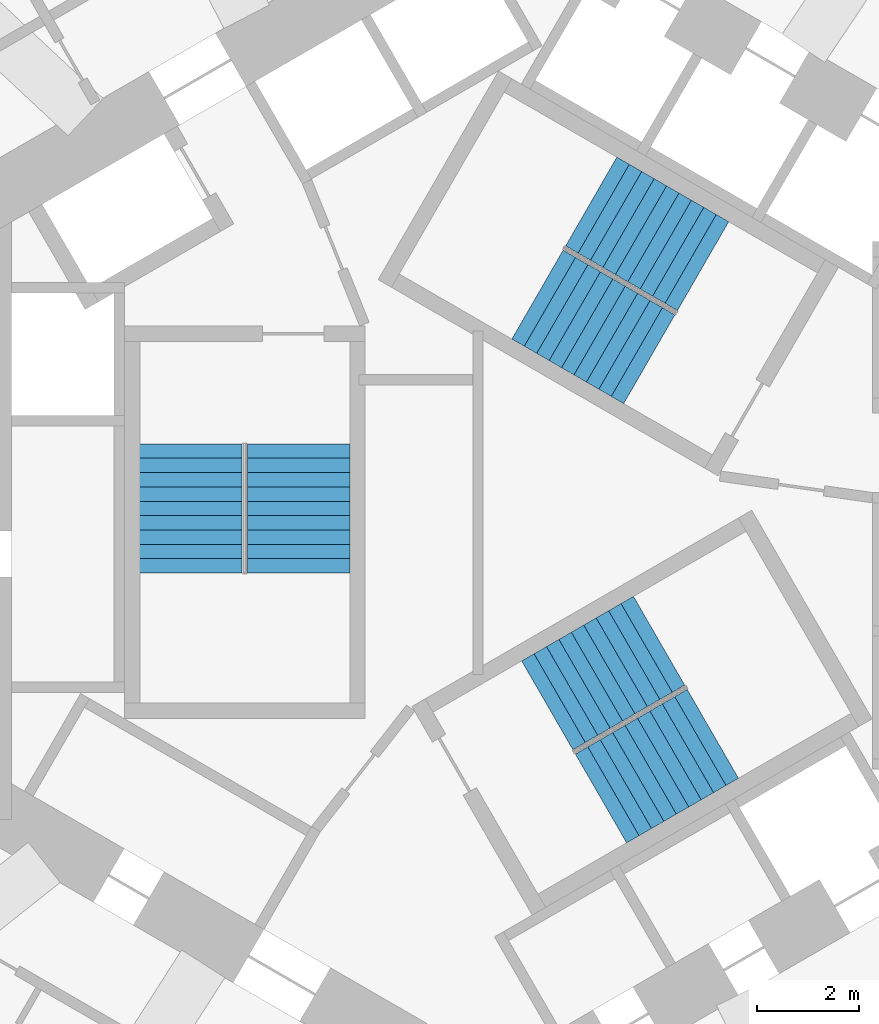
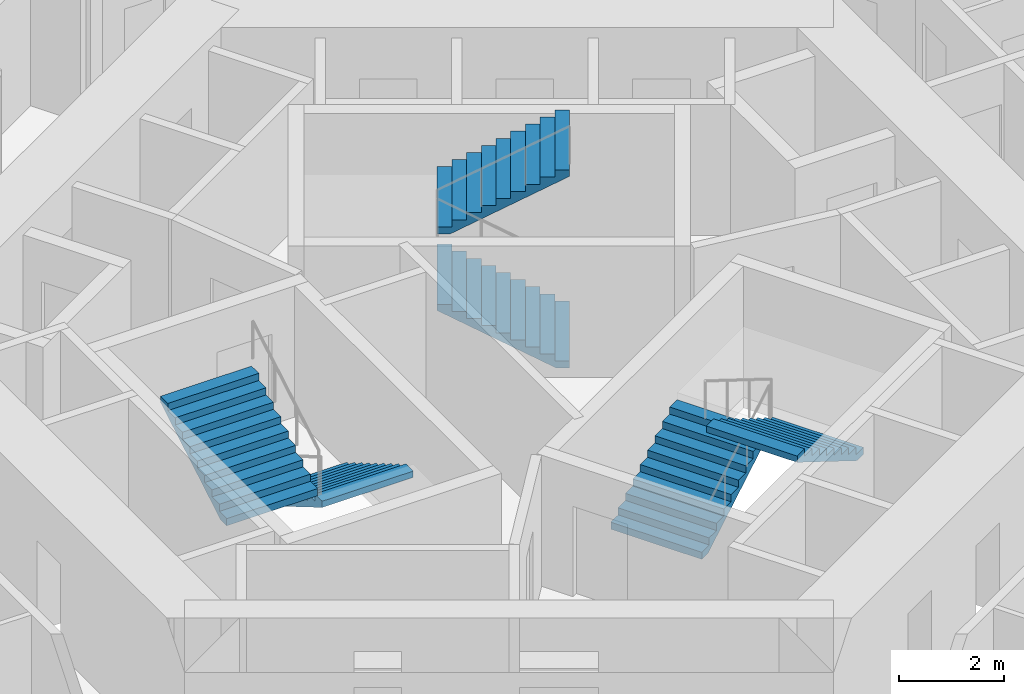
# One storey, part 10 of 12: 6 stair flights, 3 elements without a shape of their own.
"""IFC4 building model written with IfcOpenShell, lengths in metres."""

from ifc_helpers import new_model, si_unit, direction, frame, origin, place, context, subcontext, project, spatial, triangles, source, transform, mapped, material, type_object, element, aggregate, save


model = new_model("IFC4")

# Units and contexts
model_context = context("Model", 3, precision=1e-05, world=origin(), true_north=direction((0.0, 1.0)))
body_context = subcontext(model_context, "Body", "Model", "MODEL_VIEW")
ifc_project = project(units=[si_unit("LENGTHUNIT", "METRE"), si_unit("AREAUNIT", "SQUARE_METRE"), si_unit("VOLUMEUNIT", "CUBIC_METRE"), si_unit("PLANEANGLEUNIT", "RADIAN"), si_unit("MASSUNIT", "GRAM", prefix="KILO")], contexts=[model_context])

# Site, building, storey
site_placement = place(None, origin())
site = spatial("IfcSite", under=ifc_project, at=site_placement, CompositionType="ELEMENT")
building_placement = place(site_placement, origin())
building = spatial("IfcBuilding", under=site, at=building_placement, Name="Vanh Sen Convention Tower", CompositionType="ELEMENT")
storey_placement = place(building_placement, frame((0.0, 0.0, 44.0)))
storey = spatial("IfcBuildingStorey", under=building, at=storey_placement, Name="L07", CompositionType="ELEMENT", Elevation=44.0)

# Stair, stair flights
ifc_material_1 = material(Name="Concrete C50/60", Category="concrete")
stair_type_1 = type_object("IfcStairType", Name="Exit stair ST1 20 risers at 165.0", PredefinedType="HALF_TURN_STAIR", material=ifc_material_1)
stair_1_placement = place(storey_placement, origin())
stair_1 = element("IfcStair", 1, at=stair_1_placement, inside=storey, type_object=stair_type_1, Name="Exit stair ST1 L07", PredefinedType="HALF_TURN_STAIR")
ifc_material_2 = material(Name="Concrete C40/50", Category="concrete")
stair_flight_type = type_object("IfcStairFlightType", Name="Stair flight 2000", PredefinedType="STRAIGHT", material=ifc_material_2)
shared_shape = source(origin(), body_context, "Body", "Tessellation", [
    triangles([(0.24609375, 1.0, 0.0), (0.0, 1.0, 0.0), (0.0, 1.0, 0.1650390625), (0.280029296875, 1.0, 0.1650390625), (0.280029296875, 1.0, 0.330078125), (0.56005859375, 1.0, 0.330078125), (0.56005859375, 1.0, 0.4951171875), (0.840087890625, 1.0, 0.4951171875), (0.840087890625, 1.0, 0.659912109375), (1.1201171875, 1.0, 0.659912109375), (1.1201171875, 1.0, 0.824951171875), (1.39990234375, 1.0, 0.824951171875), (1.39990234375, 1.0, 0.989990234375), (1.679931640625, 1.0, 0.989990234375), (1.679931640625, 1.0, 1.155029296875), (1.9599609375, 1.0, 1.155029296875), (1.9599609375, 1.0, 1.320068359375), (2.239990234375, 1.0, 1.320068359375), (2.239990234375, 1.0, 1.485107421875), (2.52001953125, 1.0, 1.485107421875), (2.52001953125, 1.0, 1.33984375), (0.24609375, -1.0, 0.0), (0.0, -1.0, 0.0), (0.0, -1.0, 0.1650390625), (0.280029296875, -1.0, 0.1650390625), (0.280029296875, -1.0, 0.330078125), (0.56005859375, -1.0, 0.330078125), (0.56005859375, -1.0, 0.4951171875), (0.840087890625, -1.0, 0.4951171875), (0.840087890625, -1.0, 0.659912109375), (1.1201171875, -1.0, 0.659912109375), (1.1201171875, -1.0, 0.824951171875), (1.39990234375, -1.0, 0.824951171875), (1.39990234375, -1.0, 0.989990234375), (1.679931640625, -1.0, 0.989990234375), (1.679931640625, -1.0, 1.155029296875), (1.9599609375, -1.0, 1.155029296875), (1.9599609375, -1.0, 1.320068359375), (2.239990234375, -1.0, 1.320068359375), (2.239990234375, -1.0, 1.485107421875), (2.52001953125, -1.0, 1.485107421875), (2.52001953125, -1.0, 1.33984375), (0.0, 0.0400390625, 0.0), (0.0, 0.0390625, 0.0), (0.0, 0.0380859375, 0.0), (0.0, 0.037109375, 0.0), (0.0, 0.035888671875, 0.0), (0.0, 0.034912109375, 0.0), (0.0, 0.033935546875, 0.0), (0.0, 0.032958984375, 0.0), (0.0, 0.031982421875, 0.0), (0.0, 0.031005859375, 0.0), (0.0, 0.030029296875, 0.0), (0.0, 0.029052734375, 0.0), (0.0, 0.028076171875, 0.0), (0.0, 0.027099609375, 0.0), (0.0, 0.02587890625, 0.0), (0.0, 0.02490234375, 0.0), (0.0, 0.02392578125, 0.0), (0.0, 0.02294921875, 0.0), (0.0, 0.02197265625, 0.0), (0.0, 0.02099609375, 0.0), (0.0, 0.02001953125, 0.0), (0.0, 0.01904296875, 0.0), (0.0, 0.01806640625, 0.0), (0.0, 0.01708984375, 0.0), (0.0, 0.01611328125, 0.0), (0.0, 0.014892578125, 0.0), (0.0, 0.013916015625, 0.0), (0.0, 0.012939453125, 0.0), (0.0, 0.011962890625, 0.0), (0.0, 0.010986328125, 0.0), (0.0, 0.010009765625, 0.0), (0.0, 0.009033203125, 0.0), (0.0, 0.008056640625, 0.0), (0.0, 0.007080078125, 0.0), (0.0, 0.006103515625, 0.0), (0.0, 0.0048828125, 0.0), (0.0, 0.00390625, 0.0), (0.0, 0.0029296875, 0.0), (0.0, 0.001953125, 0.0), (0.0, 0.0009765625, 0.0), (0.0, 0.0, 0.0), (0.0, -0.0009765625, 0.0), (0.0, -0.001953125, 0.0), (0.0, -0.0029296875, 0.0), (0.0, -0.00390625, 0.0), (0.0, -0.0048828125, 0.0), (0.0, -0.006103515625, 0.0), (0.0, -0.007080078125, 0.0), (0.0, -0.008056640625, 0.0), (0.0, -0.009033203125, 0.0), (0.0, -0.010009765625, 0.0), (0.0, -0.010986328125, 0.0), (0.0, -0.011962890625, 0.0), (0.0, -0.012939453125, 0.0), (0.0, -0.013916015625, 0.0), (0.0, -0.014892578125, 0.0), (0.0, -0.01611328125, 0.0), (0.0, -0.01708984375, 0.0), (0.0, -0.01806640625, 0.0), (0.0, -0.01904296875, 0.0), (0.0, -0.02001953125, 0.0), (0.0, -0.02099609375, 0.0), (0.0, -0.02197265625, 0.0), (0.0, -0.02294921875, 0.0), (0.0, -0.02392578125, 0.0), (0.0, -0.02490234375, 0.0), (0.0, -0.02587890625, 0.0), (0.0, -0.027099609375, 0.0), (0.0, -0.028076171875, 0.0), (0.0, -0.029052734375, 0.0), (0.0, -0.030029296875, 0.0), (0.0, -0.031005859375, 0.0), (0.0, -0.031982421875, 0.0), (0.0, -0.032958984375, 0.0), (0.0, -0.033935546875, 0.0), (0.0, -0.034912109375, 0.0), (0.0, -0.035888671875, 0.0), (0.0, -0.037109375, 0.0), (0.0, -0.0380859375, 0.0), (0.0, -0.0390625, 0.0), (0.0, -0.0400390625, 0.0), (0.0, 0.0400390625, 0.1650390625), (0.0, 0.0390625, 0.1650390625), (0.0, 0.0380859375, 0.1650390625), (0.0, 0.037109375, 0.1650390625), (0.0, 0.035888671875, 0.1650390625), (0.0, 0.034912109375, 0.1650390625), (0.0, 0.033935546875, 0.1650390625), (0.0, 0.032958984375, 0.1650390625), (0.0, 0.031982421875, 0.1650390625), (0.0, 0.031005859375, 0.1650390625), (0.0, 0.030029296875, 0.1650390625), (0.0, 0.029052734375, 0.1650390625), (0.0, 0.028076171875, 0.1650390625), (0.0, 0.027099609375, 0.1650390625), (0.0, 0.02587890625, 0.1650390625), (0.0, 0.02490234375, 0.1650390625), (0.0, 0.02392578125, 0.1650390625), (0.0, 0.02294921875, 0.1650390625), (0.0, 0.02197265625, 0.1650390625), (0.0, 0.02099609375, 0.1650390625), (0.0, 0.02001953125, 0.1650390625), (0.0, 0.01904296875, 0.1650390625), (0.0, 0.01806640625, 0.1650390625), (0.0, 0.01708984375, 0.1650390625), (0.0, 0.01611328125, 0.1650390625), (0.0, 0.014892578125, 0.1650390625), (0.0, 0.013916015625, 0.1650390625), (0.0, 0.012939453125, 0.1650390625), (0.0, 0.011962890625, 0.1650390625), (0.0, 0.010986328125, 0.1650390625), (0.0, 0.010009765625, 0.1650390625), (0.0, 0.009033203125, 0.1650390625), (0.0, 0.008056640625, 0.1650390625), (0.0, 0.007080078125, 0.1650390625), (0.0, 0.006103515625, 0.1650390625), (0.0, 0.0048828125, 0.1650390625), (0.0, 0.00390625, 0.1650390625), (0.0, 0.0029296875, 0.1650390625), (0.0, 0.001953125, 0.1650390625), (0.0, 0.0009765625, 0.1650390625), (0.0, 0.0, 0.1650390625), (0.0, -0.0009765625, 0.1650390625), (0.0, -0.001953125, 0.1650390625), (0.0, -0.0029296875, 0.1650390625), (0.0, -0.00390625, 0.1650390625), (0.0, -0.0048828125, 0.1650390625), (0.0, -0.006103515625, 0.1650390625), (0.0, -0.007080078125, 0.1650390625), (0.0, -0.008056640625, 0.1650390625), (0.0, -0.009033203125, 0.1650390625), (0.0, -0.010009765625, 0.1650390625), (0.0, -0.010986328125, 0.1650390625), (0.0, -0.011962890625, 0.1650390625), (0.0, -0.012939453125, 0.1650390625), (0.0, -0.013916015625, 0.1650390625), (0.0, -0.014892578125, 0.1650390625), (0.0, -0.01611328125, 0.1650390625), (0.0, -0.01708984375, 0.1650390625), (0.0, -0.01806640625, 0.1650390625), (0.0, -0.01904296875, 0.1650390625), (0.0, -0.02001953125, 0.1650390625), (0.0, -0.02099609375, 0.1650390625), (0.0, -0.02197265625, 0.1650390625), (0.0, -0.02294921875, 0.1650390625), (0.0, -0.02392578125, 0.1650390625), (0.0, -0.02490234375, 0.1650390625), (0.0, -0.02587890625, 0.1650390625), (0.0, -0.027099609375, 0.1650390625), (0.0, -0.028076171875, 0.1650390625), (0.0, -0.029052734375, 0.1650390625), (0.0, -0.030029296875, 0.1650390625), (0.0, -0.031005859375, 0.1650390625), (0.0, -0.031982421875, 0.1650390625), (0.0, -0.032958984375, 0.1650390625), (0.0, -0.033935546875, 0.1650390625), (0.0, -0.034912109375, 0.1650390625), (0.0, -0.035888671875, 0.1650390625), (0.0, -0.037109375, 0.1650390625), (0.0, -0.0380859375, 0.1650390625), (0.0, -0.0390625, 0.1650390625), (0.0, -0.0400390625, 0.1650390625), (0.280029296875, 0.0, 0.1650390625), (0.280029296875, 0.0, 0.330078125), (0.56005859375, 0.0, 0.330078125), (0.56005859375, 0.0, 0.4951171875), (0.840087890625, 0.0, 0.4951171875), (0.840087890625, 0.0, 0.659912109375), (1.1201171875, 0.0, 0.659912109375), (1.1201171875, 0.0, 0.824951171875), (1.39990234375, 0.0, 0.824951171875), (1.39990234375, 0.0, 0.989990234375), (1.679931640625, 0.0, 0.989990234375), (1.679931640625, 0.0, 1.155029296875), (1.9599609375, 0.0, 1.155029296875), (1.9599609375, 0.0, 1.320068359375), (2.239990234375, 0.0, 1.320068359375), (2.239990234375, 0.0, 1.485107421875), (2.52001953125, 0.0400390625, 1.485107421875), (2.52001953125, 0.0390625, 1.485107421875), (2.52001953125, 0.0380859375, 1.485107421875), (2.52001953125, 0.037109375, 1.485107421875), (2.52001953125, 0.035888671875, 1.485107421875), (2.52001953125, 0.034912109375, 1.485107421875), (2.52001953125, 0.033935546875, 1.485107421875), (2.52001953125, 0.032958984375, 1.485107421875), (2.52001953125, 0.031982421875, 1.485107421875), (2.52001953125, 0.031005859375, 1.485107421875), (2.52001953125, 0.030029296875, 1.485107421875), (2.52001953125, 0.029052734375, 1.485107421875), (2.52001953125, 0.028076171875, 1.485107421875), (2.52001953125, 0.027099609375, 1.485107421875), (2.52001953125, 0.02587890625, 1.485107421875), (2.52001953125, 0.02490234375, 1.485107421875), (2.52001953125, 0.02392578125, 1.485107421875), (2.52001953125, 0.02294921875, 1.485107421875), (2.52001953125, 0.02197265625, 1.485107421875), (2.52001953125, 0.02099609375, 1.485107421875), (2.52001953125, 0.02001953125, 1.485107421875), (2.52001953125, 0.01904296875, 1.485107421875), (2.52001953125, 0.01806640625, 1.485107421875), (2.52001953125, 0.01708984375, 1.485107421875), (2.52001953125, 0.01611328125, 1.485107421875), (2.52001953125, 0.014892578125, 1.485107421875), (2.52001953125, 0.013916015625, 1.485107421875), (2.52001953125, 0.012939453125, 1.485107421875), (2.52001953125, 0.011962890625, 1.485107421875), (2.52001953125, 0.010986328125, 1.485107421875), (2.52001953125, 0.010009765625, 1.485107421875), (2.52001953125, 0.009033203125, 1.485107421875), (2.52001953125, 0.008056640625, 1.485107421875), (2.52001953125, 0.007080078125, 1.485107421875), (2.52001953125, 0.006103515625, 1.485107421875), (2.52001953125, 0.0048828125, 1.485107421875), (2.52001953125, 0.00390625, 1.485107421875), (2.52001953125, 0.0029296875, 1.485107421875), (2.52001953125, 0.001953125, 1.485107421875), (2.52001953125, 0.0009765625, 1.485107421875), (2.52001953125, 0.0, 1.485107421875), (2.52001953125, -0.0009765625, 1.485107421875), (2.52001953125, -0.001953125, 1.485107421875), (2.52001953125, -0.0029296875, 1.485107421875), (2.52001953125, -0.00390625, 1.485107421875), (2.52001953125, -0.0048828125, 1.485107421875), (2.52001953125, -0.006103515625, 1.485107421875), (2.52001953125, -0.007080078125, 1.485107421875), (2.52001953125, -0.008056640625, 1.485107421875), (2.52001953125, -0.009033203125, 1.485107421875), (2.52001953125, -0.010009765625, 1.485107421875), (2.52001953125, -0.010986328125, 1.485107421875), (2.52001953125, -0.011962890625, 1.485107421875), (2.52001953125, -0.012939453125, 1.485107421875), (2.52001953125, -0.013916015625, 1.485107421875), (2.52001953125, -0.014892578125, 1.485107421875), (2.52001953125, -0.01611328125, 1.485107421875), (2.52001953125, -0.01708984375, 1.485107421875), (2.52001953125, -0.01806640625, 1.485107421875), (2.52001953125, -0.01904296875, 1.485107421875), (2.52001953125, -0.02001953125, 1.485107421875), (2.52001953125, -0.02099609375, 1.485107421875), (2.52001953125, -0.02197265625, 1.485107421875), (2.52001953125, -0.02294921875, 1.485107421875), (2.52001953125, -0.02392578125, 1.485107421875), (2.52001953125, -0.02490234375, 1.485107421875), (2.52001953125, -0.02587890625, 1.485107421875), (2.52001953125, -0.027099609375, 1.485107421875), (2.52001953125, -0.028076171875, 1.485107421875), (2.52001953125, -0.029052734375, 1.485107421875), (2.52001953125, -0.030029296875, 1.485107421875), (2.52001953125, -0.031005859375, 1.485107421875), (2.52001953125, -0.031982421875, 1.485107421875), (2.52001953125, -0.032958984375, 1.485107421875), (2.52001953125, -0.033935546875, 1.485107421875), (2.52001953125, -0.034912109375, 1.485107421875), (2.52001953125, -0.035888671875, 1.485107421875), (2.52001953125, -0.037109375, 1.485107421875), (2.52001953125, -0.0380859375, 1.485107421875), (2.52001953125, -0.0390625, 1.485107421875), (2.52001953125, -0.0400390625, 1.485107421875), (2.52001953125, 0.0400390625, 1.33984375), (2.52001953125, 0.0390625, 1.33984375), (2.52001953125, 0.0380859375, 1.33984375), (2.52001953125, 0.037109375, 1.33984375), (2.52001953125, 0.035888671875, 1.33984375), (2.52001953125, 0.034912109375, 1.33984375), (2.52001953125, 0.033935546875, 1.33984375), (2.52001953125, 0.032958984375, 1.33984375), (2.52001953125, 0.031982421875, 1.33984375), (2.52001953125, 0.031005859375, 1.33984375), (2.52001953125, 0.030029296875, 1.33984375), (2.52001953125, 0.029052734375, 1.33984375), (2.52001953125, 0.028076171875, 1.33984375), (2.52001953125, 0.027099609375, 1.33984375), (2.52001953125, 0.02587890625, 1.33984375), (2.52001953125, 0.02490234375, 1.33984375), (2.52001953125, 0.02392578125, 1.33984375), (2.52001953125, 0.02294921875, 1.33984375), (2.52001953125, 0.02197265625, 1.33984375), (2.52001953125, 0.02099609375, 1.33984375), (2.52001953125, 0.02001953125, 1.33984375), (2.52001953125, 0.01904296875, 1.33984375), (2.52001953125, 0.01806640625, 1.33984375), (2.52001953125, 0.01708984375, 1.33984375), (2.52001953125, 0.01611328125, 1.33984375), (2.52001953125, 0.014892578125, 1.33984375), (2.52001953125, 0.013916015625, 1.33984375), (2.52001953125, 0.012939453125, 1.33984375), (2.52001953125, 0.011962890625, 1.33984375), (2.52001953125, 0.010986328125, 1.33984375), (2.52001953125, 0.010009765625, 1.33984375), (2.52001953125, 0.009033203125, 1.33984375), (2.52001953125, 0.008056640625, 1.33984375), (2.52001953125, 0.007080078125, 1.33984375), (2.52001953125, 0.006103515625, 1.33984375), (2.52001953125, 0.0048828125, 1.33984375), (2.52001953125, 0.00390625, 1.33984375), (2.52001953125, 0.0029296875, 1.33984375), (2.52001953125, 0.001953125, 1.33984375), (2.52001953125, 0.0009765625, 1.33984375), (2.52001953125, 0.0, 1.33984375), (2.52001953125, -0.0009765625, 1.33984375), (2.52001953125, -0.001953125, 1.33984375), (2.52001953125, -0.0029296875, 1.33984375), (2.52001953125, -0.00390625, 1.33984375), (2.52001953125, -0.0048828125, 1.33984375), (2.52001953125, -0.006103515625, 1.33984375), (2.52001953125, -0.007080078125, 1.33984375), (2.52001953125, -0.008056640625, 1.33984375), (2.52001953125, -0.009033203125, 1.33984375), (2.52001953125, -0.010009765625, 1.33984375), (2.52001953125, -0.010986328125, 1.33984375), (2.52001953125, -0.011962890625, 1.33984375), (2.52001953125, -0.012939453125, 1.33984375), (2.52001953125, -0.013916015625, 1.33984375), (2.52001953125, -0.014892578125, 1.33984375), (2.52001953125, -0.01611328125, 1.33984375), (2.52001953125, -0.01708984375, 1.33984375), (2.52001953125, -0.01806640625, 1.33984375), (2.52001953125, -0.01904296875, 1.33984375), (2.52001953125, -0.02001953125, 1.33984375), (2.52001953125, -0.02099609375, 1.33984375), (2.52001953125, -0.02197265625, 1.33984375), (2.52001953125, -0.02294921875, 1.33984375), (2.52001953125, -0.02392578125, 1.33984375), (2.52001953125, -0.02490234375, 1.33984375), (2.52001953125, -0.02587890625, 1.33984375), (2.52001953125, -0.027099609375, 1.33984375), (2.52001953125, -0.028076171875, 1.33984375), (2.52001953125, -0.029052734375, 1.33984375), (2.52001953125, -0.030029296875, 1.33984375), (2.52001953125, -0.031005859375, 1.33984375), (2.52001953125, -0.031982421875, 1.33984375), (2.52001953125, -0.032958984375, 1.33984375), (2.52001953125, -0.033935546875, 1.33984375), (2.52001953125, -0.034912109375, 1.33984375), (2.52001953125, -0.035888671875, 1.33984375), (2.52001953125, -0.037109375, 1.33984375), (2.52001953125, -0.0380859375, 1.33984375), (2.52001953125, -0.0390625, 1.33984375), (2.52001953125, -0.0400390625, 1.33984375), (0.24609375, 0.0, 0.0)], [[1, 2, 3], [1, 3, 4], [4, 5, 6], [1, 4, 6], [6, 7, 8], [1, 6, 8], [8, 9, 10], [1, 8, 10], [10, 11, 12], [1, 10, 12], [12, 13, 14], [1, 12, 14], [14, 15, 16], [1, 14, 16], [16, 17, 18], [1, 16, 18], [18, 19, 20], [1, 18, 20], [20, 21, 1], [22, 24, 23], [22, 25, 24], [25, 27, 26], [22, 27, 25], [27, 29, 28], [22, 29, 27], [29, 31, 30], [22, 31, 29], [31, 33, 32], [22, 33, 31], [33, 35, 34], [22, 35, 33], [35, 37, 36], [22, 37, 35], [37, 39, 38], [22, 39, 37], [39, 41, 40], [22, 41, 39], [41, 22, 42], [2, 124, 3], [2, 43, 124], [43, 125, 124], [43, 44, 125], [44, 126, 125], [44, 45, 126], [45, 127, 126], [45, 46, 127], [46, 128, 127], [46, 47, 128], [47, 129, 128], [47, 48, 129], [48, 130, 129], [48, 49, 130], [49, 131, 130], [49, 50, 131], [50, 132, 131], [50, 51, 132], [51, 133, 132], [51, 52, 133], [52, 134, 133], [52, 53, 134], [53, 135, 134], [53, 54, 135], [54, 136, 135], [54, 55, 136], [55, 137, 136], [55, 56, 137], [56, 138, 137], [56, 57, 138], [57, 139, 138], [57, 58, 139], [58, 140, 139], [58, 59, 140], [59, 141, 140], [59, 60, 141], [60, 142, 141], [60, 61, 142], [61, 143, 142], [61, 62, 143], [62, 144, 143], [62, 63, 144], [63, 145, 144], [63, 64, 145], [64, 146, 145], [64, 65, 146], [65, 147, 146], [65, 66, 147], [66, 148, 147], [66, 67, 148], [67, 149, 148], [67, 68, 149], [68, 150, 149], [68, 69, 150], [69, 151, 150], [69, 70, 151], [70, 152, 151], [70, 71, 152], [71, 153, 152], [71, 72, 153], [72, 154, 153], [72, 73, 154], [73, 155, 154], [73, 74, 155], [74, 156, 155], [74, 75, 156], [75, 157, 156], [75, 76, 157], [76, 158, 157], [76, 77, 158], [77, 159, 158], [77, 78, 159], [78, 160, 159], [78, 79, 160], [79, 161, 160], [79, 80, 161], [80, 162, 161], [80, 81, 162], [81, 163, 162], [81, 82, 163], [82, 164, 163], [82, 83, 164], [83, 84, 164], [164, 84, 165], [84, 85, 165], [165, 85, 166], [85, 86, 166], [166, 86, 167], [86, 87, 167], [167, 87, 168], [87, 88, 168], [168, 88, 169], [88, 89, 169], [169, 89, 170], [89, 90, 170], [170, 90, 171], [90, 91, 171], [171, 91, 172], [91, 92, 172], [172, 92, 173], [92, 93, 173], [173, 93, 174], [93, 94, 174], [174, 94, 175], [94, 95, 175], [175, 95, 176], [95, 96, 176], [176, 96, 177], [96, 97, 177], [177, 97, 178], [97, 98, 178], [178, 98, 179], [98, 99, 179], [179, 99, 180], [99, 100, 180], [180, 100, 181], [100, 101, 181], [181, 101, 182], [101, 102, 182], [182, 102, 183], [102, 103, 183], [183, 103, 184], [103, 104, 184], [184, 104, 185], [104, 105, 185], [185, 105, 186], [105, 106, 186], [186, 106, 187], [106, 107, 187], [187, 107, 188], [107, 108, 188], [188, 108, 189], [108, 109, 189], [189, 109, 190], [109, 110, 190], [190, 110, 191], [110, 111, 191], [191, 111, 192], [111, 112, 192], [192, 112, 193], [112, 113, 193], [193, 113, 194], [113, 114, 194], [194, 114, 195], [114, 115, 195], [195, 115, 196], [115, 116, 196], [196, 116, 197], [116, 117, 197], [197, 117, 198], [117, 118, 198], [198, 118, 199], [118, 119, 199], [199, 119, 200], [119, 120, 200], [200, 120, 201], [120, 121, 201], [201, 121, 202], [121, 122, 202], [202, 122, 203], [122, 123, 203], [203, 123, 204], [123, 23, 204], [204, 23, 24], [4, 3, 124], [4, 124, 125], [4, 125, 126], [4, 126, 127], [4, 127, 128], [4, 128, 129], [4, 129, 130], [4, 130, 131], [4, 131, 132], [4, 132, 133], [4, 133, 134], [4, 134, 135], [4, 135, 136], [4, 136, 137], [4, 137, 138], [4, 138, 139], [4, 139, 140], [4, 140, 141], [4, 141, 142], [4, 142, 143], [4, 143, 144], [4, 144, 145], [4, 145, 146], [4, 146, 147], [4, 147, 148], [4, 148, 149], [4, 149, 150], [4, 150, 151], [4, 151, 152], [4, 152, 153], [4, 153, 154], [4, 154, 155], [4, 155, 156], [4, 156, 157], [4, 157, 158], [4, 158, 159], [4, 159, 160], [4, 160, 161], [4, 161, 162], [4, 162, 163], [4, 163, 164], [25, 164, 165], [25, 165, 166], [25, 166, 167], [25, 167, 168], [25, 168, 169], [25, 169, 170], [25, 170, 171], [25, 171, 172], [25, 172, 173], [25, 173, 174], [25, 174, 175], [25, 175, 176], [25, 176, 177], [25, 177, 178], [25, 178, 179], [25, 179, 180], [25, 180, 181], [25, 181, 182], [25, 182, 183], [25, 183, 184], [25, 184, 185], [25, 185, 186], [25, 186, 187], [25, 187, 188], [25, 188, 189], [25, 189, 190], [25, 190, 191], [25, 191, 192], [25, 192, 193], [25, 193, 194], [25, 194, 195], [25, 195, 196], [25, 196, 197], [25, 197, 198], [25, 198, 199], [25, 199, 200], [25, 200, 201], [25, 201, 202], [25, 202, 203], [25, 203, 204], [25, 204, 24], [4, 164, 205], [25, 205, 164], [4, 206, 5], [4, 205, 206], [205, 25, 206], [206, 25, 26], [5, 207, 6], [5, 206, 207], [206, 26, 207], [207, 26, 27], [6, 208, 7], [6, 207, 208], [207, 27, 208], [208, 27, 28], [7, 209, 8], [7, 208, 209], [208, 28, 209], [209, 28, 29], [8, 210, 9], [8, 209, 210], [209, 29, 210], [210, 29, 30], [9, 211, 10], [9, 210, 211], [210, 30, 211], [211, 30, 31], [10, 212, 11], [10, 211, 212], [211, 31, 212], [212, 31, 32], [11, 213, 12], [11, 212, 213], [212, 32, 213], [213, 32, 33], [12, 214, 13], [12, 213, 214], [213, 33, 214], [214, 33, 34], [13, 215, 14], [13, 214, 215], [214, 34, 215], [215, 34, 35], [14, 216, 15], [14, 215, 216], [215, 35, 216], [216, 35, 36], [15, 217, 16], [15, 216, 217], [216, 36, 217], [217, 36, 37], [16, 218, 17], [16, 217, 218], [217, 37, 218], [218, 37, 38], [17, 219, 18], [17, 218, 219], [218, 38, 219], [219, 38, 39], [18, 220, 19], [18, 219, 220], [219, 39, 220], [220, 39, 40], [19, 221, 20], [19, 222, 221], [19, 223, 222], [19, 224, 223], [19, 225, 224], [19, 226, 225], [19, 227, 226], [19, 228, 227], [19, 229, 228], [19, 230, 229], [19, 231, 230], [19, 232, 231], [19, 233, 232], [19, 234, 233], [19, 235, 234], [19, 236, 235], [19, 237, 236], [19, 238, 237], [19, 239, 238], [19, 240, 239], [19, 241, 240], [19, 242, 241], [19, 243, 242], [19, 244, 243], [19, 245, 244], [19, 246, 245], [19, 247, 246], [19, 248, 247], [19, 249, 248], [19, 250, 249], [19, 251, 250], [19, 252, 251], [19, 253, 252], [19, 254, 253], [19, 255, 254], [19, 256, 255], [19, 257, 256], [19, 258, 257], [19, 259, 258], [19, 260, 259], [19, 261, 260], [40, 262, 261], [40, 263, 262], [40, 264, 263], [40, 265, 264], [40, 266, 265], [40, 267, 266], [40, 268, 267], [40, 269, 268], [40, 270, 269], [40, 271, 270], [40, 272, 271], [40, 273, 272], [40, 274, 273], [40, 275, 274], [40, 276, 275], [40, 277, 276], [40, 278, 277], [40, 279, 278], [40, 280, 279], [40, 281, 280], [40, 282, 281], [40, 283, 282], [40, 284, 283], [40, 285, 284], [40, 286, 285], [40, 287, 286], [40, 288, 287], [40, 289, 288], [40, 290, 289], [40, 291, 290], [40, 292, 291], [40, 293, 292], [40, 294, 293], [40, 295, 294], [40, 296, 295], [40, 297, 296], [40, 298, 297], [40, 299, 298], [40, 300, 299], [40, 301, 300], [40, 41, 301], [19, 220, 261], [40, 261, 220], [20, 302, 21], [20, 221, 302], [221, 303, 302], [221, 222, 303], [222, 304, 303], [222, 223, 304], [223, 305, 304], [223, 224, 305], [224, 306, 305], [224, 225, 306], [225, 307, 306], [225, 226, 307], [226, 308, 307], [226, 227, 308], [227, 309, 308], [227, 228, 309], [228, 310, 309], [228, 229, 310], [229, 311, 310], [229, 230, 311], [230, 312, 311], [230, 231, 312], [231, 313, 312], [231, 232, 313], [232, 314, 313], [232, 233, 314], [233, 315, 314], [233, 234, 315], [234, 316, 315], [234, 235, 316], [235, 317, 316], [235, 236, 317], [236, 318, 317], [236, 237, 318], [237, 319, 318], [237, 238, 319], [238, 320, 319], [238, 239, 320], [239, 321, 320], [239, 240, 321], [240, 322, 321], [240, 241, 322], [241, 323, 322], [241, 242, 323], [242, 324, 323], [242, 243, 324], [243, 325, 324], [243, 244, 325], [244, 326, 325], [244, 245, 326], [245, 327, 326], [245, 246, 327], [246, 328, 327], [246, 247, 328], [247, 329, 328], [247, 248, 329], [248, 330, 329], [248, 249, 330], [249, 331, 330], [249, 250, 331], [250, 332, 331], [250, 251, 332], [251, 333, 332], [251, 252, 333], [252, 334, 333], [252, 253, 334], [253, 335, 334], [253, 254, 335], [254, 336, 335], [254, 255, 336], [255, 337, 336], [255, 256, 337], [256, 338, 337], [256, 257, 338], [257, 339, 338], [257, 258, 339], [258, 340, 339], [258, 259, 340], [259, 341, 340], [259, 260, 341], [260, 342, 341], [260, 261, 342], [261, 262, 342], [342, 262, 343], [262, 263, 343], [343, 263, 344], [263, 264, 344], [344, 264, 345], [264, 265, 345], [345, 265, 346], [265, 266, 346], [346, 266, 347], [266, 267, 347], [347, 267, 348], [267, 268, 348], [348, 268, 349], [268, 269, 349], [349, 269, 350], [269, 270, 350], [350, 270, 351], [270, 271, 351], [351, 271, 352], [271, 272, 352], [352, 272, 353], [272, 273, 353], [353, 273, 354], [273, 274, 354], [354, 274, 355], [274, 275, 355], [355, 275, 356], [275, 276, 356], [356, 276, 357], [276, 277, 357], [357, 277, 358], [277, 278, 358], [358, 278, 359], [278, 279, 359], [359, 279, 360], [279, 280, 360], [360, 280, 361], [280, 281, 361], [361, 281, 362], [281, 282, 362], [362, 282, 363], [282, 283, 363], [363, 283, 364], [283, 284, 364], [364, 284, 365], [284, 285, 365], [365, 285, 366], [285, 286, 366], [366, 286, 367], [286, 287, 367], [367, 287, 368], [287, 288, 368], [368, 288, 369], [288, 289, 369], [369, 289, 370], [289, 290, 370], [370, 290, 371], [290, 291, 371], [371, 291, 372], [291, 292, 372], [372, 292, 373], [292, 293, 373], [373, 293, 374], [293, 294, 374], [374, 294, 375], [294, 295, 375], [375, 295, 376], [295, 296, 376], [376, 296, 377], [296, 297, 377], [377, 297, 378], [297, 298, 378], [378, 298, 379], [298, 299, 379], [379, 299, 380], [299, 300, 380], [380, 300, 381], [300, 301, 381], [381, 301, 382], [301, 41, 382], [382, 41, 42], [1, 21, 302], [1, 302, 303], [1, 303, 304], [1, 304, 305], [1, 305, 306], [1, 306, 307], [1, 307, 308], [1, 308, 309], [1, 309, 310], [1, 310, 311], [1, 311, 312], [1, 312, 313], [1, 313, 314], [1, 314, 315], [1, 315, 316], [1, 316, 317], [1, 317, 318], [1, 318, 319], [1, 319, 320], [1, 320, 321], [1, 321, 322], [1, 322, 323], [1, 323, 324], [1, 324, 325], [1, 325, 326], [1, 326, 327], [1, 327, 328], [1, 328, 329], [1, 329, 330], [1, 330, 331], [1, 331, 332], [1, 332, 333], [1, 333, 334], [1, 334, 335], [1, 335, 336], [1, 336, 337], [1, 337, 338], [1, 338, 339], [1, 339, 340], [1, 340, 341], [1, 341, 342], [22, 342, 343], [22, 343, 344], [22, 344, 345], [22, 345, 346], [22, 346, 347], [22, 347, 348], [22, 348, 349], [22, 349, 350], [22, 350, 351], [22, 351, 352], [22, 352, 353], [22, 353, 354], [22, 354, 355], [22, 355, 356], [22, 356, 357], [22, 357, 358], [22, 358, 359], [22, 359, 360], [22, 360, 361], [22, 361, 362], [22, 362, 363], [22, 363, 364], [22, 364, 365], [22, 365, 366], [22, 366, 367], [22, 367, 368], [22, 368, 369], [22, 369, 370], [22, 370, 371], [22, 371, 372], [22, 372, 373], [22, 373, 374], [22, 374, 375], [22, 375, 376], [22, 376, 377], [22, 377, 378], [22, 378, 379], [22, 379, 380], [22, 380, 381], [22, 381, 382], [22, 382, 42], [1, 342, 383], [22, 383, 342], [1, 43, 2], [1, 44, 43], [1, 45, 44], [1, 46, 45], [1, 47, 46], [1, 48, 47], [1, 49, 48], [1, 50, 49], [1, 51, 50], [1, 52, 51], [1, 53, 52], [1, 54, 53], [1, 55, 54], [1, 56, 55], [1, 57, 56], [1, 58, 57], [1, 59, 58], [1, 60, 59], [1, 61, 60], [1, 62, 61], [1, 63, 62], [1, 64, 63], [1, 65, 64], [1, 66, 65], [1, 67, 66], [1, 68, 67], [1, 69, 68], [1, 70, 69], [1, 71, 70], [1, 72, 71], [1, 73, 72], [1, 74, 73], [1, 75, 74], [1, 76, 75], [1, 77, 76], [1, 78, 77], [1, 79, 78], [1, 80, 79], [1, 81, 80], [1, 82, 81], [1, 83, 82], [22, 84, 83], [22, 85, 84], [22, 86, 85], [22, 87, 86], [22, 88, 87], [22, 89, 88], [22, 90, 89], [22, 91, 90], [22, 92, 91], [22, 93, 92], [22, 94, 93], [22, 95, 94], [22, 96, 95], [22, 97, 96], [22, 98, 97], [22, 99, 98], [22, 100, 99], [22, 101, 100], [22, 102, 101], [22, 103, 102], [22, 104, 103], [22, 105, 104], [22, 106, 105], [22, 107, 106], [22, 108, 107], [22, 109, 108], [22, 110, 109], [22, 111, 110], [22, 112, 111], [22, 113, 112], [22, 114, 113], [22, 115, 114], [22, 116, 115], [22, 117, 116], [22, 118, 117], [22, 119, 118], [22, 120, 119], [22, 121, 120], [22, 122, 121], [22, 123, 122], [22, 23, 123], [1, 383, 83], [22, 83, 383]], closed=True),
])
stair_flight_1_placement = place(storey_placement, frame((2.94580078125, 2.802490234375, 0.0), z_axis=(0.0, 0.0, 1.0), x_axis=(-0.866025403784, 0.5, 0.0)))
stair_flight_1 = element("IfcStairFlight", 2, at=stair_flight_1_placement, type_object=stair_flight_type, Name="ST1 flight 1", NumberOfRisers=10, NumberOfTreads=9, PredefinedType="STRAIGHT", RiserHeight=0.165, TreadLength=0.28, context=body_context, shape_type="MappedRepresentation", body=[
    mapped(shared_shape, transform((0.0, 0.0, 0.0))),
])
stair_flight_2_placement = place(storey_placement, frame((1.8134765625, 5.881103515625, 1.64990234375), z_axis=(0.0, 0.0, 1.0), x_axis=(0.866025403784, -0.5, 0.0)))
stair_flight_2 = element("IfcStairFlight", 3, at=stair_flight_2_placement, type_object=stair_flight_type, Name="ST1 flight 2", NumberOfRisers=10, NumberOfTreads=9, PredefinedType="STRAIGHT", RiserHeight=0.165, TreadLength=0.28, context=body_context, shape_type="MappedRepresentation", body=[
    mapped(shared_shape, transform((0.0, 0.0, 0.0))),
])
aggregate(stair_1, [stair_flight_1, stair_flight_2])

stair_type_2 = type_object("IfcStairType", Name="Exit stair ST2 20 risers at 165.0", PredefinedType="HALF_TURN_STAIR", material=ifc_material_1)
stair_2_placement = place(storey_placement, origin())
stair_2 = element("IfcStair", 4, at=stair_2_placement, inside=storey, type_object=stair_type_2, Name="Exit stair ST2 L07", PredefinedType="HALF_TURN_STAIR")
stair_flight_3_placement = place(storey_placement, frame((-3.89990234375, 1.14990234375, 0.0), z_axis=(0.0, 0.0, 1.0), x_axis=(0.0, -1.0, 0.0)))
stair_flight_3 = element("IfcStairFlight", 5, at=stair_flight_3_placement, type_object=stair_flight_type, Name="ST2 flight 1", NumberOfRisers=10, NumberOfTreads=9, PredefinedType="STRAIGHT", RiserHeight=0.165, TreadLength=0.28, context=body_context, shape_type="MappedRepresentation", body=[
    mapped(shared_shape, transform((0.0, 0.0, 0.0))),
])
stair_flight_4_placement = place(storey_placement, frame((-6.0, -1.3701171875, 1.64990234375), z_axis=(0.0, 0.0, 1.0), x_axis=(0.0, 1.0, 0.0)))
stair_flight_4 = element("IfcStairFlight", 6, at=stair_flight_4_placement, type_object=stair_flight_type, Name="ST2 flight 2", NumberOfRisers=10, NumberOfTreads=9, PredefinedType="STRAIGHT", RiserHeight=0.165, TreadLength=0.28, context=body_context, shape_type="MappedRepresentation", body=[
    mapped(shared_shape, transform((0.0, 0.0, 0.0))),
])
aggregate(stair_2, [stair_flight_3, stair_flight_4])

stair_type_3 = type_object("IfcStairType", Name="Exit stair ST3 20 risers at 165.0", PredefinedType="HALF_TURN_STAIR", material=ifc_material_1)
stair_3_placement = place(storey_placement, origin())
stair_3 = element("IfcStair", 7, at=stair_3_placement, inside=storey, type_object=stair_type_3, Name="Exit stair ST3 L07", PredefinedType="HALF_TURN_STAIR")
stair_flight_5_placement = place(storey_placement, frame((0.9541015625, -3.952392578125, 0.0), z_axis=(0.0, 0.0, 1.0), x_axis=(0.866025403784, 0.5, 0.0)))
stair_flight_5 = element("IfcStairFlight", 8, at=stair_flight_5_placement, type_object=stair_flight_type, Name="ST3 flight 1", NumberOfRisers=10, NumberOfTreads=9, PredefinedType="STRAIGHT", RiserHeight=0.165, TreadLength=0.28, context=body_context, shape_type="MappedRepresentation", body=[
    mapped(shared_shape, transform((0.0, 0.0, 0.0))),
])
stair_flight_6_placement = place(storey_placement, frame((4.1865234375, -4.51123046875, 1.64990234375), z_axis=(0.0, 0.0, 1.0), x_axis=(-0.866025403784, -0.5, 0.0)))
stair_flight_6 = element("IfcStairFlight", 9, at=stair_flight_6_placement, type_object=stair_flight_type, Name="ST3 flight 2", NumberOfRisers=10, NumberOfTreads=9, PredefinedType="STRAIGHT", RiserHeight=0.165, TreadLength=0.28, context=body_context, shape_type="MappedRepresentation", body=[
    mapped(shared_shape, transform((0.0, 0.0, 0.0))),
])
aggregate(stair_3, [stair_flight_5, stair_flight_6])

save(model, "model.ifc")
